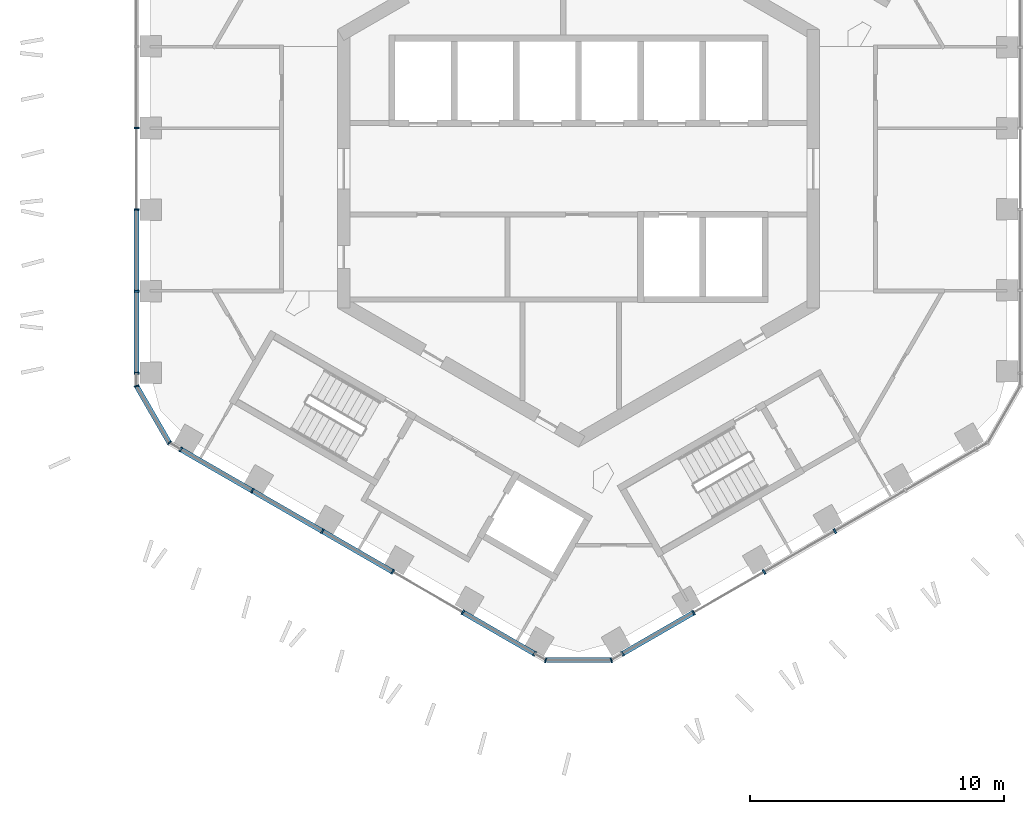
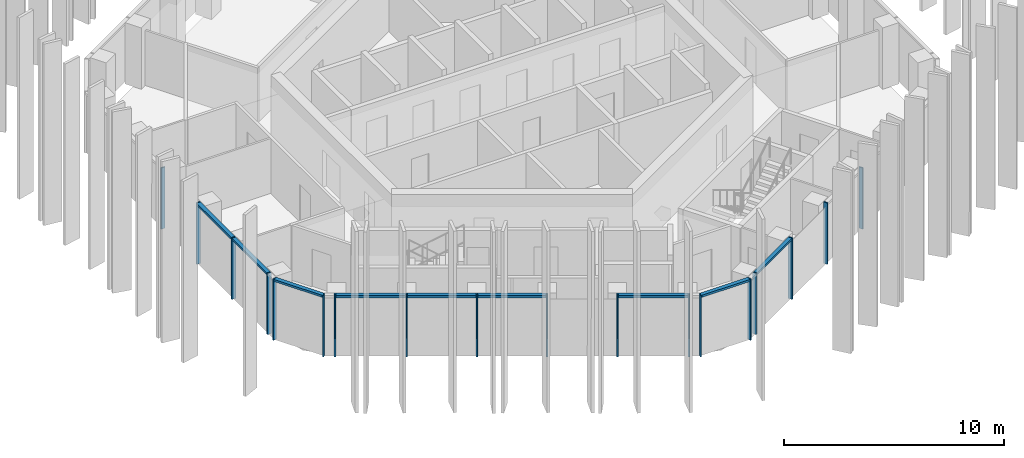
# One storey, part 2 of 18: 24 members, 5 elements without a shape of their own.
"""IFC4 building model written with IfcOpenShell, lengths in metres."""

import ifcopenshell
import ifcopenshell.guid

model = None  # the IFC model being written
_history = None  # IfcOwnerHistory: only IFC2X3 demands one
_inside = {}  # id of a spatial element -> (the spatial element, [elements in it])
_under = {}  # id of a project, library or spatial element -> (it, [spatial elements below it])
_declared = {}  # id of a project -> (the project, [libraries it declares])
_typed = {}  # id of a type object -> (the type object, [elements of that type])
_made_of = {}  # id of a material, layer set ... -> (it, [elements and type objects made of it])


def new_model(schema):
    """Start an empty IFC model of exactly this schema.

    Asked for "IFC4X3", IfcOpenShell would pick the latest addendum, in which some entities
    have other attributes; the version numbers below select the first issue.
    IFC2X3 requires an IfcOwnerHistory on every rooted entity: one is made here for all.
    """
    global model, _history
    if schema == "IFC4X3":
        model = ifcopenshell.file(schema_version=(4, 3, 0, 0))
    else:
        model = ifcopenshell.file(schema=schema)
    _inside.clear()
    _under.clear()
    _declared.clear()
    _typed.clear()
    _made_of.clear()
    _history = None
    if model.schema == "IFC2X3":
        org = make("IfcOrganization", Name="unknown")
        user = make(
            "IfcPersonAndOrganization",
            ThePerson=make("IfcPerson", FamilyName="unknown"),
            TheOrganization=org,
        )
        app = make(
            "IfcApplication",
            ApplicationDeveloper=org,
            Version="unknown",
            ApplicationFullName="unknown",
            ApplicationIdentifier="unknown",
        )
        _history = make(
            "IfcOwnerHistory",
            OwningUser=user,
            OwningApplication=app,
            ChangeAction="ADDED",
            CreationDate=0,
        )
    return model


def make(cls, **values):
    """One entity of the class cls with the attributes given. An attribute that is None is left unset."""
    return model.create_entity(
        cls, **{name: value for name, value in values.items() if value is not None}
    )


def rooted(cls, **values):
    """An entity with a GlobalId (a new one), such as an element, a storey or a relation."""
    return make(cls, GlobalId=ifcopenshell.guid.new(), OwnerHistory=_history, **values)


def si_unit(unit_type, name, prefix=None):
    """IfcSIUnit, for example si_unit("LENGTHUNIT", "METRE", prefix="MILLI")."""
    return make("IfcSIUnit", UnitType=unit_type, Prefix=prefix, Name=name)


def assignment(units):
    """IfcUnitAssignment: the units of a project."""
    return None if units is None else make("IfcUnitAssignment", Units=units)


def point(xyz):
    """IfcCartesianPoint."""
    return None if xyz is None else make("IfcCartesianPoint", Coordinates=xyz)


def direction(xyz):
    """IfcDirection."""
    return None if xyz is None else make("IfcDirection", DirectionRatios=xyz)


def frame(location, z_axis=None, x_axis=None):
    """IfcAxis2Placement3D, a coordinate frame: its origin and axes. An axis left out is left unset."""
    return make(
        "IfcAxis2Placement3D",
        Location=point(location),
        Axis=direction(z_axis),
        RefDirection=direction(x_axis),
    )


def frame_2d(location, x_axis=None):
    """IfcAxis2Placement2D, a coordinate frame in the plane: its origin and x axis."""
    return make(
        "IfcAxis2Placement2D", Location=point(location), RefDirection=direction(x_axis)
    )


def origin():
    """The frame at (0, 0, 0) with its axes left unset."""
    return frame((0.0, 0.0, 0.0))


def origin_2d():
    """The frame at (0, 0) in the plane with its x axis left unset."""
    return frame_2d((0.0, 0.0))


def place(relative_to, where):
    """IfcLocalPlacement: puts the frame where relative to a parent placement (None: the world)."""
    return make(
        "IfcLocalPlacement", PlacementRelTo=relative_to, RelativePlacement=where
    )


def context(
    kind, dimensions, precision=None, world=None, true_north=None, identifier=None
):
    """IfcGeometricRepresentationContext, for example the 3D "Model" context."""
    return make(
        "IfcGeometricRepresentationContext",
        ContextIdentifier=identifier,
        ContextType=kind,
        CoordinateSpaceDimension=dimensions,
        Precision=precision,
        WorldCoordinateSystem=world,
        TrueNorth=true_north,
    )


def subcontext(parent, identifier, kind, view, scale=None):
    """IfcGeometricRepresentationSubContext, for example "Body" below "Model"."""
    return make(
        "IfcGeometricRepresentationSubContext",
        ContextIdentifier=identifier,
        ContextType=kind,
        ParentContext=parent,
        TargetScale=scale,
        TargetView=view,
    )


def project(units=None, contexts=None):
    """IfcProject with its units and contexts."""
    return rooted(
        "IfcProject",
        Name="project",
        RepresentationContexts=contexts,
        UnitsInContext=assignment(units),
    )


def spatial(cls, under=None, at=None, **own):
    """A site, building, storey or space (cls), placed at a placement, below another one or the project."""
    s = rooted(cls, ObjectPlacement=at, **own)
    if under is not None:
        _under.setdefault(under.id(), (under, []))[1].append(s)
    return s


def profile(cls, at=None, kind="AREA", **sizes):
    """A parametric profile (cls). Its sizes go by their IFC names, for example OverallWidth=200.0."""
    return make(cls, ProfileType=kind, Position=at, **sizes)


def rectangle(**sizes):
    """IfcRectangleProfileDef."""
    return profile("IfcRectangleProfileDef", **sizes)


def extrude(swept, where, along, depth):
    """IfcExtrudedAreaSolid: the profile swept, set in the frame where, extruded along a direction by depth."""
    return make(
        "IfcExtrudedAreaSolid",
        SweptArea=swept,
        Position=where,
        ExtrudedDirection=direction(along),
        Depth=depth,
    )


def shape(context_of_items, identifier, shape_type, items):
    """IfcShapeRepresentation: the items that make up one representation, for example the "Body"."""
    return make(
        "IfcShapeRepresentation",
        ContextOfItems=context_of_items,
        RepresentationIdentifier=identifier,
        RepresentationType=shape_type,
        Items=items,
    )


def material(Name=None, Category=None):
    """IfcMaterial."""
    return make("IfcMaterial", Name=Name, Category=Category)


def layer(
    of_material, thickness, ventilated=None, Name=None, Category=None, Priority=None
):
    """IfcMaterialLayer: one layer of a wall or slab, of a material (None: an air gap)."""
    return make(
        "IfcMaterialLayer",
        Material=of_material,
        LayerThickness=thickness,
        IsVentilated=ventilated,
        Name=Name,
        Category=Category,
        Priority=Priority,
    )


def layer_set(layers, Name=None):
    """IfcMaterialLayerSet."""
    return make("IfcMaterialLayerSet", MaterialLayers=layers, LayerSetName=Name)


def material_profile(
    of_material, cross_section, Name=None, Category=None, Priority=None
):
    """IfcMaterialProfile: a cross section and its material."""
    return make(
        "IfcMaterialProfile",
        Name=Name,
        Material=of_material,
        Profile=cross_section,
        Priority=Priority,
        Category=Category,
    )


def profile_set(profiles, Name=None, composite=None):
    """IfcMaterialProfileSet."""
    return make(
        "IfcMaterialProfileSet",
        Name=Name,
        MaterialProfiles=profiles,
        CompositeProfile=composite,
    )


def made_of(thing, what):
    """Note that an element or type object is made of a material, layer set ...; save() writes the relation."""
    if what is not None:
        _made_of.setdefault(what.id(), (what, []))[1].append(thing)
    return thing


def type_object(cls, material=None, **own):
    """A type object (cls), such as IfcWallType, which elements share."""
    return made_of(rooted(cls, **own), material)


def element(
    cls,
    number,
    at=None,
    inside=None,
    cuts=None,
    type_object=None,
    material=None,
    context=None,
    identifier="Body",
    shape_type=None,
    held_by="IfcProductDefinitionShape",
    body=None,
    shapes=None,
    **own,
):
    """One element of the class cls, such as IfcWall. Its Tag is "e" and its number.

    at: its placement. inside: the storey or other place that contains it. cuts: it is an
    opening in that element (IfcRelVoidsElement). A single representation is given by context,
    identifier, shape_type and body (its items); several are given by shapes. held_by: the class
    of the entity that holds the representations. save() writes the other relations.
    """
    e = rooted(cls, Tag="e%d" % number, ObjectPlacement=at, **own)
    if body is not None:
        shapes = [shape(context, identifier, shape_type, body)]
    if shapes is not None:
        e.Representation = make(held_by, Representations=shapes)
    if inside is not None:
        _inside.setdefault(inside.id(), (inside, []))[1].append(e)
    if cuts is not None:
        rooted(
            "IfcRelVoidsElement", RelatingBuildingElement=cuts, RelatedOpeningElement=e
        )
    if type_object is not None:
        _typed.setdefault(type_object.id(), (type_object, []))[1].append(e)
    return made_of(e, material)


def aggregate(whole, parts):
    """IfcRelAggregates: a whole, such as a stair, and the parts it consists of."""
    return rooted("IfcRelAggregates", RelatingObject=whole, RelatedObjects=parts)


def save(model, path):
    """Write the relations noted so far, then the file.

    IfcRelAggregates (storeys below a building ...), IfcRelContainedInSpatialStructure (elements
    in a storey), IfcRelDefinesByType, IfcRelAssociatesMaterial and IfcRelDeclares: one each for
    every whole, place, type object, material and project.
    """
    for whole, parts in _under.values():
        aggregate(whole, parts)
    for where, things in _inside.values():
        rooted(
            "IfcRelContainedInSpatialStructure",
            RelatedElements=things,
            RelatingStructure=where,
        )
    for kind, things in _typed.values():
        rooted("IfcRelDefinesByType", RelatedObjects=things, RelatingType=kind)
    for what, things in _made_of.values():
        rooted("IfcRelAssociatesMaterial", RelatedObjects=things, RelatingMaterial=what)
    for by, libraries in _declared.values():
        rooted("IfcRelDeclares", RelatingContext=by, RelatedDefinitions=libraries)
    model.write(path)


model = new_model("IFC4")

# Units and contexts
model_context = context("Model", 3, precision=1e-05, world=origin(), true_north=direction((0.0, 1.0)))
body_context = subcontext(model_context, "Body", "Model", "MODEL_VIEW")
ifc_project = project(units=[si_unit("LENGTHUNIT", "METRE"), si_unit("AREAUNIT", "SQUARE_METRE"), si_unit("VOLUMEUNIT", "CUBIC_METRE"), si_unit("PLANEANGLEUNIT", "RADIAN"), si_unit("MASSUNIT", "GRAM", prefix="KILO")], contexts=[model_context])

# Site, building, storey
site_placement = place(None, origin())
site = spatial("IfcSite", under=ifc_project, at=site_placement, CompositionType="ELEMENT")
building_placement = place(site_placement, origin())
building = spatial("IfcBuilding", under=site, at=building_placement, Name="Ayvan Gate Tower", CompositionType="ELEMENT")
storey_placement = place(building_placement, frame((0.0, 0.0, 218.89990234375)))
storey = spatial("IfcBuildingStorey", under=building, at=storey_placement, Name="L58", CompositionType="ELEMENT", Elevation=218.89990234375)

# Curtain wall, members
ifc_material = material(Name="Bronze anodised aluminium", Category="aluminium")
ifc_layer_1 = layer(ifc_material, 0.199951171875)
ifc_layer_set_1 = layer_set([ifc_layer_1], Name="Bronze anodised aluminium")
curtain_wall_type_1 = type_object("IfcCurtainWallType", Name="Stick curtain wall CW-2", PredefinedType="NOTDEFINED", material=ifc_layer_set_1)
curtain_wall_1_placement = place(storey_placement, origin())
curtain_wall_1 = element("IfcCurtainWall", 1, at=curtain_wall_1_placement, inside=storey, type_object=curtain_wall_type_1, Name="Stick curtain wall CW-2 L58", PredefinedType="NOTDEFINED")
ifc_material_profile_1 = material_profile(ifc_material, rectangle(XDim=0.199951171875, YDim=0.070068359375, at=origin_2d()), Name="Stick curtain wall CW-2 mullion 200 x 70")
ifc_profile_set_1 = profile_set([ifc_material_profile_1], Name="Bronze anodised aluminium")
member_type_1 = type_object("IfcMemberType", Name="Stick curtain wall CW-2 mullion 200 x 70", PredefinedType="MULLION", material=ifc_profile_set_1)
member_1_placement = place(storey_placement, frame((-17.41259765625, 1.607177734375, 0.0), z_axis=(0.0, 0.0, 1.0), x_axis=(-1.0, 0.0, 0.0)))
member_1 = element("IfcMember", 2, at=member_1_placement, type_object=member_type_1, Name="CW-2 mullion 3", PredefinedType="MULLION", context=body_context, shape_type="SweptSolid", body=[
    extrude(rectangle(XDim=0.199951171875, YDim=0.070068359375, at=origin_2d()), origin(), (0.0, 0.0, 1.0), 3.400146484375),
])
member_2_placement = place(storey_placement, frame((-17.41259765625, -1.60693359375, 0.0), z_axis=(0.0, 0.0, 1.0), x_axis=(-1.0, 0.0, 0.0)))
member_2 = element("IfcMember", 3, at=member_2_placement, type_object=member_type_1, Name="CW-2 mullion 4", PredefinedType="MULLION", context=body_context, shape_type="SweptSolid", body=[
    extrude(rectangle(XDim=0.199951171875, YDim=0.070068359375, at=origin_2d()), origin(), (0.0, 0.0, 1.0), 3.400146484375),
])
member_3_placement = place(storey_placement, frame((-17.41259765625, -4.821044921875, 0.0), z_axis=(0.0, 0.0, 1.0), x_axis=(-1.0, 0.0, 0.0)))
member_3 = element("IfcMember", 4, at=member_3_placement, type_object=member_type_1, Name="CW-2 mullion 5", PredefinedType="MULLION", context=body_context, shape_type="SweptSolid", body=[
    extrude(rectangle(XDim=0.199951171875, YDim=0.070068359375, at=origin_2d()), origin(), (0.0, 0.0, 1.0), 3.400146484375),
])
member_4_placement = place(storey_placement, frame((-17.41259765625, -8.052001953125, 0.0), z_axis=(0.0, 0.0, 1.0), x_axis=(-1.0, 0.0, 0.0)))
member_4 = element("IfcMember", 5, at=member_4_placement, type_object=member_type_1, Name="CW-2 mullion 6", PredefinedType="MULLION", context=body_context, shape_type="SweptSolid", body=[
    extrude(rectangle(XDim=0.199951171875, YDim=0.070068359375, at=origin_2d()), origin(), (0.0, 0.0, 1.0), 3.400146484375),
])

curtain_wall_2_placement = place(storey_placement, origin())
curtain_wall_2 = element("IfcCurtainWall", 6, at=curtain_wall_2_placement, inside=storey, type_object=curtain_wall_type_1, Name="Stick curtain wall CW-2 L58", PredefinedType="NOTDEFINED")
member_5_placement = place(storey_placement, frame((-15.679443359375, -11.0537109375, 0.0), z_axis=(0.0, 0.0, 1.0), x_axis=(-0.5, -0.866025403784, 0.0)))
member_5 = element("IfcMember", 7, at=member_5_placement, type_object=member_type_1, Name="CW-2 mullion 1", PredefinedType="MULLION", context=body_context, shape_type="SweptSolid", body=[
    extrude(rectangle(XDim=0.199951171875, YDim=0.070068359375, at=origin_2d()), origin(), (0.0, 0.0, 1.0), 3.400146484375),
])
member_6_placement = place(storey_placement, frame((-12.8544921875, -12.6845703125, 0.0), z_axis=(0.0, 0.0, 1.0), x_axis=(-0.5, -0.866025403784, 0.0)))
member_6 = element("IfcMember", 8, at=member_6_placement, type_object=member_type_1, Name="CW-2 mullion 2", PredefinedType="MULLION", context=body_context, shape_type="SweptSolid", body=[
    extrude(rectangle(XDim=0.199951171875, YDim=0.070068359375, at=origin_2d()), origin(), (0.0, 0.0, 1.0), 3.400146484375),
])
member_7_placement = place(storey_placement, frame((-10.08935546875, -14.28125, 0.0), z_axis=(0.0, 0.0, 1.0), x_axis=(-0.5, -0.866025403784, 0.0)))
member_7 = element("IfcMember", 9, at=member_7_placement, type_object=member_type_1, Name="CW-2 mullion 3", PredefinedType="MULLION", context=body_context, shape_type="SweptSolid", body=[
    extrude(rectangle(XDim=0.199951171875, YDim=0.070068359375, at=origin_2d()), origin(), (0.0, 0.0, 1.0), 3.400146484375),
])
member_8_placement = place(storey_placement, frame((-7.3232421875, -15.878173828125, 0.0), z_axis=(0.0, 0.0, 1.0), x_axis=(-0.5, -0.866025403784, 0.0)))
member_8 = element("IfcMember", 10, at=member_8_placement, type_object=member_type_1, Name="CW-2 mullion 4", PredefinedType="MULLION", context=body_context, shape_type="SweptSolid", body=[
    extrude(rectangle(XDim=0.199951171875, YDim=0.070068359375, at=origin_2d()), origin(), (0.0, 0.0, 1.0), 3.400146484375),
])
member_9_placement = place(storey_placement, frame((-4.55810546875, -17.474609375, 0.0), z_axis=(0.0, 0.0, 1.0), x_axis=(-0.5, -0.866025403784, 0.0)))
member_9 = element("IfcMember", 11, at=member_9_placement, type_object=member_type_1, Name="CW-2 mullion 5", PredefinedType="MULLION", context=body_context, shape_type="SweptSolid", body=[
    extrude(rectangle(XDim=0.199951171875, YDim=0.070068359375, at=origin_2d()), origin(), (0.0, 0.0, 1.0), 3.400146484375),
])
member_10_placement = place(storey_placement, frame((-1.73291015625, -19.105712890625, 0.0), z_axis=(0.0, 0.0, 1.0), x_axis=(-0.5, -0.866025403784, 0.0)))
member_10 = element("IfcMember", 12, at=member_10_placement, type_object=member_type_1, Name="CW-2 mullion 6", PredefinedType="MULLION", context=body_context, shape_type="SweptSolid", body=[
    extrude(rectangle(XDim=0.199951171875, YDim=0.070068359375, at=origin_2d()), origin(), (0.0, 0.0, 1.0), 3.400146484375),
])

curtain_wall_3_placement = place(storey_placement, origin())
curtain_wall_3 = element("IfcCurtainWall", 13, at=curtain_wall_3_placement, inside=storey, type_object=curtain_wall_type_1, Name="Stick curtain wall CW-2 L58", PredefinedType="NOTDEFINED")
member_11_placement = place(storey_placement, frame((1.73291015625, -19.105712890625, 0.0), z_axis=(0.0, 0.0, 1.0), x_axis=(0.5, -0.866025403784, 0.0)))
member_11 = element("IfcMember", 14, at=member_11_placement, type_object=member_type_1, Name="CW-2 mullion 1", PredefinedType="MULLION", context=body_context, shape_type="SweptSolid", body=[
    extrude(rectangle(XDim=0.199951171875, YDim=0.070068359375, at=origin_2d()), origin(), (0.0, 0.0, 1.0), 3.400146484375),
])
member_12_placement = place(storey_placement, frame((4.531005859375, -17.490234375, 0.0), z_axis=(0.0, 0.0, 1.0), x_axis=(0.5, -0.866025403784, 0.0)))
member_12 = element("IfcMember", 15, at=member_12_placement, type_object=member_type_1, Name="CW-2 mullion 2", PredefinedType="MULLION", context=body_context, shape_type="SweptSolid", body=[
    extrude(rectangle(XDim=0.199951171875, YDim=0.070068359375, at=origin_2d()), origin(), (0.0, 0.0, 1.0), 3.400146484375),
])
member_13_placement = place(storey_placement, frame((7.314453125, -15.88330078125, 0.0), z_axis=(0.0, 0.0, 1.0), x_axis=(0.5, -0.866025403784, 0.0)))
member_13 = element("IfcMember", 16, at=member_13_placement, type_object=member_type_1, Name="CW-2 mullion 3", PredefinedType="MULLION", context=body_context, shape_type="SweptSolid", body=[
    extrude(rectangle(XDim=0.199951171875, YDim=0.070068359375, at=origin_2d()), origin(), (0.0, 0.0, 1.0), 3.400146484375),
])
member_14_placement = place(storey_placement, frame((10.097900390625, -14.276123046875, 0.0), z_axis=(0.0, 0.0, 1.0), x_axis=(0.5, -0.866025403784, 0.0)))
member_14 = element("IfcMember", 17, at=member_14_placement, type_object=member_type_1, Name="CW-2 mullion 4", PredefinedType="MULLION", context=body_context, shape_type="SweptSolid", body=[
    extrude(rectangle(XDim=0.199951171875, YDim=0.070068359375, at=origin_2d()), origin(), (0.0, 0.0, 1.0), 3.400146484375),
])

# Member
ifc_material_profile_2 = material_profile(ifc_material, rectangle(XDim=0.199951171875, YDim=0.1201171875, at=origin_2d()), Name="Stick curtain wall CW-2 transom 200 x 120")
ifc_profile_set_2 = profile_set([ifc_material_profile_2], Name="Bronze anodised aluminium")
member_type_2 = type_object("IfcMemberType", Name="Stick curtain wall CW-2 transom 200 x 120", PredefinedType="USERDEFINED", material=ifc_profile_set_2)
member_15_placement = place(storey_placement, frame((-17.41259765625, -1.641845703125, 3.340087890625), z_axis=(0.0, -1.0, 0.0), x_axis=(1.0, 0.0, 0.0)))
member_15 = element("IfcMember", 18, at=member_15_placement, type_object=member_type_2, Name="CW-2 transom 2", ObjectType="TRANSOM", PredefinedType="USERDEFINED", context=body_context, shape_type="SweptSolid", body=[
    extrude(rectangle(XDim=0.199951171875, YDim=0.1201171875, at=origin_2d()), origin(), (0.0, 0.0, 1.0), 6.41015625),
])

aggregate(curtain_wall_1, [member_1, member_2, member_3, member_4, member_15])

member_16_placement = place(storey_placement, frame((-15.679443359375, -11.0537109375, 3.340087890625), z_axis=(0.866029540839, -0.499992834343, 0.0), x_axis=(0.499992834343, 0.866029540839, 0.0)))
member_16 = element("IfcMember", 19, at=member_16_placement, type_object=member_type_2, Name="CW-2 transom 1", ObjectType="TRANSOM", PredefinedType="USERDEFINED", context=body_context, shape_type="SweptSolid", body=[
    extrude(rectangle(XDim=0.199951171875, YDim=0.1201171875, at=origin_2d()), origin(), (0.0, 0.0, 1.0), 9.614013671875),
])

member_17_placement = place(storey_placement, frame((-4.52783203125, -17.4921875, 3.340087890625), z_axis=(0.866041974698, -0.499971297238, 0.0), x_axis=(0.499971297238, 0.866041974698, 0.0)))
member_17 = element("IfcMember", 20, at=member_17_placement, type_object=member_type_2, Name="CW-2 transom 2", ObjectType="TRANSOM", PredefinedType="USERDEFINED", context=body_context, shape_type="SweptSolid", body=[
    extrude(rectangle(XDim=0.199951171875, YDim=0.1201171875, at=origin_2d()), origin(), (0.0, 0.0, 1.0), 3.227294921875),
])

aggregate(curtain_wall_2, [member_5, member_6, member_7, member_8, member_9, member_10, member_16, member_17])

member_18_placement = place(storey_placement, frame((1.73291015625, -19.105712890625, 3.340087890625), z_axis=(0.866039296297, 0.499975936691, 0.0), x_axis=(-0.499975936691, 0.866039296297, 0.0)))
member_18 = element("IfcMember", 21, at=member_18_placement, type_object=member_type_2, Name="CW-2 transom 1", ObjectType="TRANSOM", PredefinedType="USERDEFINED", context=body_context, shape_type="SweptSolid", body=[
    extrude(rectangle(XDim=0.199951171875, YDim=0.1201171875, at=origin_2d()), origin(), (0.0, 0.0, 1.0), 3.196044921875),
])

aggregate(curtain_wall_3, [member_11, member_12, member_13, member_14, member_18])

# Curtain wall, members
ifc_layer_2 = layer(ifc_material, 0.199951171875)
ifc_layer_set_2 = layer_set([ifc_layer_2], Name="Bronze anodised aluminium")
curtain_wall_type_2 = type_object("IfcCurtainWallType", Name="Stick curtain wall CW-6", PredefinedType="NOTDEFINED", material=ifc_layer_set_2)
curtain_wall_4_placement = place(storey_placement, origin())
curtain_wall_4 = element("IfcCurtainWall", 22, at=curtain_wall_4_placement, inside=storey, type_object=curtain_wall_type_2, Name="Stick curtain wall CW-6 L58", PredefinedType="NOTDEFINED")
ifc_material_profile_3 = material_profile(ifc_material, rectangle(XDim=0.199951171875, YDim=0.050048828125, at=origin_2d()), Name="Stick curtain wall CW-6 mullion 200 x 50")
ifc_profile_set_3 = profile_set([ifc_material_profile_3], Name="Bronze anodised aluminium")
member_type_3 = type_object("IfcMemberType", Name="Stick curtain wall CW-6 mullion 200 x 50", PredefinedType="MULLION", material=ifc_profile_set_3)
member_19_placement = place(storey_placement, frame((-17.41259765625, -8.56201171875, 0.0), z_axis=(0.0, 0.0, 1.0), x_axis=(-0.965925826289, -0.258819045103, 0.0)))
member_19 = element("IfcMember", 23, at=member_19_placement, type_object=member_type_3, Name="CW-6 mullion 2", PredefinedType="MULLION", context=body_context, shape_type="SweptSolid", body=[
    extrude(rectangle(XDim=0.199951171875, YDim=0.050048828125, at=origin_2d()), origin(), (0.0, 0.0, 1.0), 3.400146484375),
])
member_20_placement = place(storey_placement, frame((-16.12109375, -10.798583984375, 0.0), z_axis=(0.0, 0.0, 1.0), x_axis=(-0.707106781187, -0.707106781187, 0.0)))
member_20 = element("IfcMember", 24, at=member_20_placement, type_object=member_type_3, Name="CW-6 mullion 3", PredefinedType="MULLION", context=body_context, shape_type="SweptSolid", body=[
    extrude(rectangle(XDim=0.199951171875, YDim=0.050048828125, at=origin_2d()), origin(), (0.0, 0.0, 1.0), 3.400146484375),
])

curtain_wall_5_placement = place(storey_placement, origin())
curtain_wall_5 = element("IfcCurtainWall", 25, at=curtain_wall_5_placement, inside=storey, type_object=curtain_wall_type_2, Name="Stick curtain wall CW-6 L58", PredefinedType="NOTDEFINED")
member_21_placement = place(storey_placement, frame((-1.291259765625, -19.360595703125, 0.0), z_axis=(0.0, 0.0, 1.0), x_axis=(-0.258819045103, -0.965925826289, 0.0)))
member_21 = element("IfcMember", 26, at=member_21_placement, type_object=member_type_3, Name="CW-6 mullion 2", PredefinedType="MULLION", context=body_context, shape_type="SweptSolid", body=[
    extrude(rectangle(XDim=0.199951171875, YDim=0.050048828125, at=origin_2d()), origin(), (0.0, 0.0, 1.0), 3.400146484375),
])
member_22_placement = place(storey_placement, frame((1.291259765625, -19.360595703125, 0.0), z_axis=(0.0, 0.0, 1.0), x_axis=(0.258819045103, -0.965925826289, 0.0)))
member_22 = element("IfcMember", 27, at=member_22_placement, type_object=member_type_3, Name="CW-6 mullion 3", PredefinedType="MULLION", context=body_context, shape_type="SweptSolid", body=[
    extrude(rectangle(XDim=0.199951171875, YDim=0.050048828125, at=origin_2d()), origin(), (0.0, 0.0, 1.0), 3.400146484375),
])

# Member
ifc_material_profile_4 = material_profile(ifc_material, rectangle(XDim=0.199951171875, YDim=0.1201171875, at=origin_2d()), Name="Stick curtain wall CW-6 transom 200 x 120")
ifc_profile_set_4 = profile_set([ifc_material_profile_4], Name="Bronze anodised aluminium")
member_type_4 = type_object("IfcMemberType", Name="Stick curtain wall CW-6 transom 200 x 120", PredefinedType="USERDEFINED", material=ifc_profile_set_4)
member_23_placement = place(storey_placement, frame((-17.39990234375, -8.583740234375, 3.340087890625), z_axis=(0.499933856714, -0.866063588261, 0.0), x_axis=(0.866063588261, 0.499933856714, 0.0)))
member_23 = element("IfcMember", 28, at=member_23_placement, type_object=member_type_4, Name="CW-6 transom 2", ObjectType="TRANSOM", PredefinedType="USERDEFINED", context=body_context, shape_type="SweptSolid", body=[
    extrude(rectangle(XDim=0.199951171875, YDim=0.1201171875, at=origin_2d()), origin(), (0.0, 0.0, 1.0), 2.532470703125),
])

aggregate(curtain_wall_4, [member_19, member_20, member_23])

member_24_placement = place(storey_placement, frame((-1.266357421875, -19.360595703125, 3.340087890625), z_axis=(1.0, 0.0, 0.0), x_axis=(0.0, 1.0, 0.0)))
member_24 = element("IfcMember", 29, at=member_24_placement, type_object=member_type_4, Name="CW-6 transom 2", ObjectType="TRANSOM", PredefinedType="USERDEFINED", context=body_context, shape_type="SweptSolid", body=[
    extrude(rectangle(XDim=0.199951171875, YDim=0.1201171875, at=origin_2d()), origin(), (0.0, 0.0, 1.0), 2.53271484375),
])

aggregate(curtain_wall_5, [member_21, member_22, member_24])

save(model, "model.ifc")
